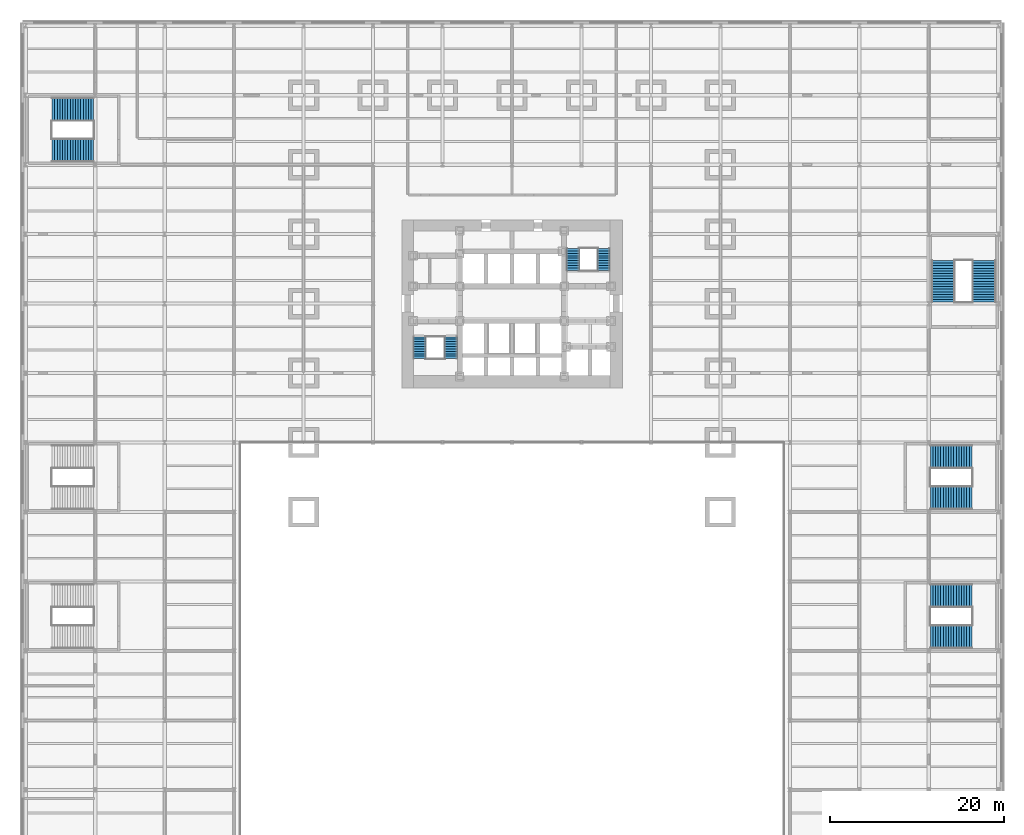
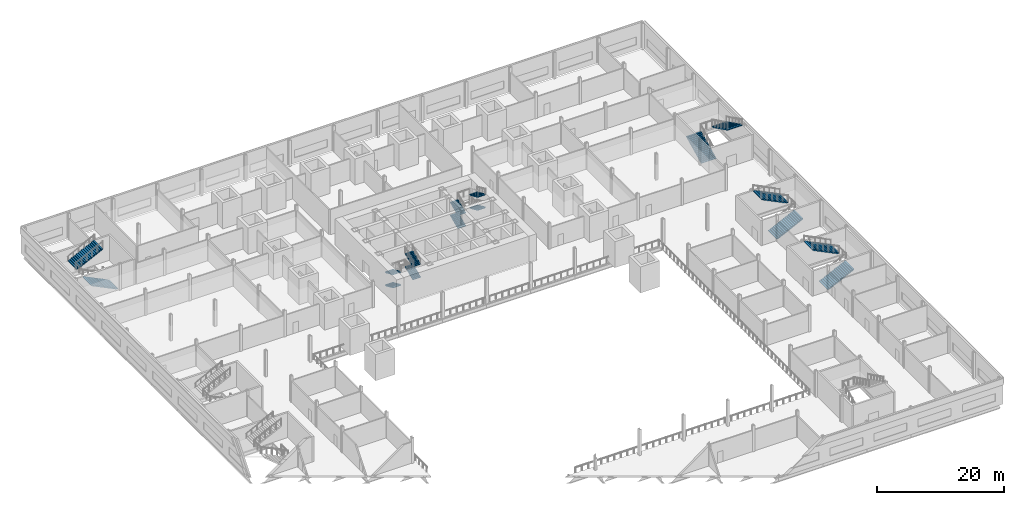
# One storey, part 14 of 18: 16 stair flights, 6 elements without a shape of their own.
"""IFC4 building model written with IfcOpenShell, lengths in metres."""

from ifc_helpers import new_model, si_unit, direction, frame, origin, place, context, subcontext, project, spatial, polyline, outline, extrude, material, type_object, element, aggregate, save


model = new_model("IFC4")

# Units and contexts
model_context = context("Model", 3, precision=1e-05, world=origin(), true_north=direction((0.0, 1.0)))
body_context = subcontext(model_context, "Body", "Model", "MODEL_VIEW")
ifc_project = project(units=[si_unit("LENGTHUNIT", "METRE"), si_unit("AREAUNIT", "SQUARE_METRE"), si_unit("VOLUMEUNIT", "CUBIC_METRE"), si_unit("PLANEANGLEUNIT", "RADIAN"), si_unit("MASSUNIT", "GRAM", prefix="KILO")], contexts=[model_context])

# Site, building, storey
site_placement = place(None, origin())
site = spatial("IfcSite", under=ifc_project, at=site_placement, CompositionType="ELEMENT")
building_placement = place(site_placement, origin())
building = spatial("IfcBuilding", under=site, at=building_placement, Name="Daluyong Arena Tower", CompositionType="ELEMENT")
storey_placement = place(building_placement, frame((0.0, 0.0, 4.89990234375)))
storey = spatial("IfcBuildingStorey", under=building, at=storey_placement, Name="L01", CompositionType="ELEMENT", Elevation=4.89990234375)

# Stair, stair flights
ifc_material_1 = material(Name="Concrete fc' 35 MPa", Category="concrete")
stair_type_1 = type_object("IfcStairType", Name="Core exit stair", PredefinedType="HALF_TURN_STAIR", material=ifc_material_1)
stair_1_placement = place(storey_placement, origin())
stair_1 = element("IfcStair", 1, at=stair_1_placement, inside=storey, type_object=stair_type_1, Name="exit stair A L01", PredefinedType="HALF_TURN_STAIR")
ifc_material_2 = material(Name="Concrete fc' 35 MPa", Category="concrete")
stair_flight_type_1 = type_object("IfcStairFlightType", Name="Core stair flight", PredefinedType="STRAIGHT", material=ifc_material_2)
stair_flight_1_placement = place(storey_placement, frame((45.364990234375, 76.175048828125, 0.0), z_axis=(0.0, 0.0, 1.0), x_axis=(0.0, -1.0, 0.0)))
stair_flight_1 = element("IfcStairFlight", 2, at=stair_flight_1_placement, type_object=stair_flight_type_1, Name="STA flight 1", NumberOfRisers=10, NumberOfTreads=9, PredefinedType="STRAIGHT", RiserHeight=0.125, TreadLength=0.28, context=body_context, shape_type="SweptSolid", body=[
    extrude(outline(polyline([(0.0, 0.0), (0.0, 0.125), (0.280029296875, 0.125), (0.280029296875, 0.25), (0.56005859375, 0.25), (0.56005859375, 0.375), (0.840087890625, 0.375), (0.840087890625, 0.5), (1.1201171875, 0.5), (1.1201171875, 0.625), (1.39990234375, 0.625), (1.39990234375, 0.75), (1.679931640625, 0.75), (1.679931640625, 0.875), (1.9599609375, 0.875), (1.9599609375, 1.0), (2.239990234375, 1.0), (2.239990234375, 1.125), (2.52001953125, 1.125), (2.52001953125, 1.25), (2.52001953125, 0.9609375), (0.36767578125, 0.0), (0.0, 0.0)])), frame((0.0, 0.72509765625, 0.0), z_axis=(0.0, -1.0, 0.0), x_axis=(1.0, 0.0, 0.0)), (0.0, 0.0, 1.0), 1.449951171875),
])
stair_flight_2_placement = place(storey_placement, frame((48.97509765625, 73.655029296875, 1.25), z_axis=(0.0, 0.0, 1.0), x_axis=(0.0, 1.0, 0.0)))
stair_flight_2 = element("IfcStairFlight", 3, at=stair_flight_2_placement, type_object=stair_flight_type_1, Name="STA flight 2", NumberOfRisers=10, NumberOfTreads=9, PredefinedType="STRAIGHT", RiserHeight=0.125, TreadLength=0.28, context=body_context, shape_type="SweptSolid", body=[
    extrude(outline(polyline([(0.0, 0.0), (0.0, 0.125), (0.280029296875, 0.125), (0.280029296875, 0.25), (0.56005859375, 0.25), (0.56005859375, 0.375), (0.840087890625, 0.375), (0.840087890625, 0.5), (1.1201171875, 0.5), (1.1201171875, 0.625), (1.39990234375, 0.625), (1.39990234375, 0.75), (1.679931640625, 0.75), (1.679931640625, 0.875), (1.9599609375, 0.875), (1.9599609375, 1.0), (2.239990234375, 1.0), (2.239990234375, 1.125), (2.52001953125, 1.125), (2.52001953125, 1.25), (2.52001953125, 0.9609375), (0.36767578125, 0.0), (0.0, 0.0)])), frame((0.0, 0.72509765625, 0.0), z_axis=(0.0, -1.0, 0.0), x_axis=(1.0, 0.0, 0.0)), (0.0, 0.0, 1.0), 1.449951171875),
])
stair_flight_3_placement = place(storey_placement, frame((45.364990234375, 76.175048828125, 2.5), z_axis=(0.0, 0.0, 1.0), x_axis=(0.0, -1.0, 0.0)))
stair_flight_3 = element("IfcStairFlight", 4, at=stair_flight_3_placement, type_object=stair_flight_type_1, Name="STA flight 3", NumberOfRisers=10, NumberOfTreads=9, PredefinedType="STRAIGHT", RiserHeight=0.125, TreadLength=0.28, context=body_context, shape_type="SweptSolid", body=[
    extrude(outline(polyline([(0.0, 0.0), (0.0, 0.125), (0.280029296875, 0.125), (0.280029296875, 0.25), (0.56005859375, 0.25), (0.56005859375, 0.375), (0.840087890625, 0.375), (0.840087890625, 0.5), (1.1201171875, 0.5), (1.1201171875, 0.625), (1.39990234375, 0.625), (1.39990234375, 0.75), (1.679931640625, 0.75), (1.679931640625, 0.875), (1.9599609375, 0.875), (1.9599609375, 1.0), (2.239990234375, 1.0), (2.239990234375, 1.125), (2.52001953125, 1.125), (2.52001953125, 1.25), (2.52001953125, 0.9609375), (0.36767578125, 0.0), (0.0, 0.0)])), frame((0.0, 0.72509765625, 0.0), z_axis=(0.0, -1.0, 0.0), x_axis=(1.0, 0.0, 0.0)), (0.0, 0.0, 1.0), 1.449951171875),
])
stair_flight_4_placement = place(storey_placement, frame((48.97509765625, 73.655029296875, 3.75), z_axis=(0.0, 0.0, 1.0), x_axis=(0.0, 1.0, 0.0)))
stair_flight_4 = element("IfcStairFlight", 5, at=stair_flight_4_placement, type_object=stair_flight_type_1, Name="STA flight 4", NumberOfRisers=10, NumberOfTreads=9, PredefinedType="STRAIGHT", RiserHeight=0.125, TreadLength=0.28, context=body_context, shape_type="SweptSolid", body=[
    extrude(outline(polyline([(0.0, 0.0), (0.0, 0.125), (0.280029296875, 0.125), (0.280029296875, 0.25), (0.56005859375, 0.25), (0.56005859375, 0.375), (0.840087890625, 0.375), (0.840087890625, 0.5), (1.1201171875, 0.5), (1.1201171875, 0.625), (1.39990234375, 0.625), (1.39990234375, 0.75), (1.679931640625, 0.75), (1.679931640625, 0.875), (1.9599609375, 0.875), (1.9599609375, 1.0), (2.239990234375, 1.0), (2.239990234375, 1.125), (2.52001953125, 1.125), (2.52001953125, 1.25), (2.52001953125, 0.9609375), (0.36767578125, 0.0), (0.0, 0.0)])), frame((0.0, 0.72509765625, 0.0), z_axis=(0.0, -1.0, 0.0), x_axis=(1.0, 0.0, 0.0)), (0.0, 0.0, 1.0), 1.449951171875),
])
aggregate(stair_1, [stair_flight_1, stair_flight_2, stair_flight_3, stair_flight_4])

stair_2_placement = place(storey_placement, origin())
stair_2 = element("IfcStair", 6, at=stair_2_placement, inside=storey, type_object=stair_type_1, Name="exit stair B L01", PredefinedType="HALF_TURN_STAIR")
stair_flight_5_placement = place(storey_placement, frame((63.02490234375, 83.824951171875, 0.0), z_axis=(0.0, 0.0, 1.0), x_axis=(0.0, 1.0, 0.0)))
stair_flight_5 = element("IfcStairFlight", 7, at=stair_flight_5_placement, type_object=stair_flight_type_1, Name="STB flight 1", NumberOfRisers=10, NumberOfTreads=9, PredefinedType="STRAIGHT", RiserHeight=0.125, TreadLength=0.28, context=body_context, shape_type="SweptSolid", body=[
    extrude(outline(polyline([(0.0, 0.0), (0.0, 0.125), (0.280029296875, 0.125), (0.280029296875, 0.25), (0.56005859375, 0.25), (0.56005859375, 0.375), (0.840087890625, 0.375), (0.840087890625, 0.5), (1.1201171875, 0.5), (1.1201171875, 0.625), (1.39990234375, 0.625), (1.39990234375, 0.75), (1.679931640625, 0.75), (1.679931640625, 0.875), (1.9599609375, 0.875), (1.9599609375, 1.0), (2.239990234375, 1.0), (2.239990234375, 1.125), (2.52001953125, 1.125), (2.52001953125, 1.25), (2.52001953125, 0.9609375), (0.36767578125, 0.0), (0.0, 0.0)])), frame((0.0, 0.72509765625, 0.0), z_axis=(0.0, -1.0, 0.0), x_axis=(1.0, 0.0, 0.0)), (0.0, 0.0, 1.0), 1.449951171875),
])
stair_flight_6_placement = place(storey_placement, frame((66.574951171875, 86.344970703125, 1.25), z_axis=(0.0, 0.0, 1.0), x_axis=(0.0, -1.0, 0.0)))
stair_flight_6 = element("IfcStairFlight", 8, at=stair_flight_6_placement, type_object=stair_flight_type_1, Name="STB flight 2", NumberOfRisers=10, NumberOfTreads=9, PredefinedType="STRAIGHT", RiserHeight=0.125, TreadLength=0.28, context=body_context, shape_type="SweptSolid", body=[
    extrude(outline(polyline([(0.0, 0.0), (0.0, 0.125), (0.280029296875, 0.125), (0.280029296875, 0.25), (0.56005859375, 0.25), (0.56005859375, 0.375), (0.840087890625, 0.375), (0.840087890625, 0.5), (1.1201171875, 0.5), (1.1201171875, 0.625), (1.39990234375, 0.625), (1.39990234375, 0.75), (1.679931640625, 0.75), (1.679931640625, 0.875), (1.9599609375, 0.875), (1.9599609375, 1.0), (2.239990234375, 1.0), (2.239990234375, 1.125), (2.52001953125, 1.125), (2.52001953125, 1.25), (2.52001953125, 0.9609375), (0.36767578125, 0.0), (0.0, 0.0)])), frame((0.0, 0.72509765625, 0.0), z_axis=(0.0, -1.0, 0.0), x_axis=(1.0, 0.0, 0.0)), (0.0, 0.0, 1.0), 1.449951171875),
])
stair_flight_7_placement = place(storey_placement, frame((63.02490234375, 83.824951171875, 2.5), z_axis=(0.0, 0.0, 1.0), x_axis=(0.0, 1.0, 0.0)))
stair_flight_7 = element("IfcStairFlight", 9, at=stair_flight_7_placement, type_object=stair_flight_type_1, Name="STB flight 3", NumberOfRisers=10, NumberOfTreads=9, PredefinedType="STRAIGHT", RiserHeight=0.125, TreadLength=0.28, context=body_context, shape_type="SweptSolid", body=[
    extrude(outline(polyline([(0.0, 0.0), (0.0, 0.125), (0.280029296875, 0.125), (0.280029296875, 0.25), (0.56005859375, 0.25), (0.56005859375, 0.375), (0.840087890625, 0.375), (0.840087890625, 0.5), (1.1201171875, 0.5), (1.1201171875, 0.625), (1.39990234375, 0.625), (1.39990234375, 0.75), (1.679931640625, 0.75), (1.679931640625, 0.875), (1.9599609375, 0.875), (1.9599609375, 1.0), (2.239990234375, 1.0), (2.239990234375, 1.125), (2.52001953125, 1.125), (2.52001953125, 1.25), (2.52001953125, 0.9609375), (0.36767578125, 0.0), (0.0, 0.0)])), frame((0.0, 0.72509765625, 0.0), z_axis=(0.0, -1.0, 0.0), x_axis=(1.0, 0.0, 0.0)), (0.0, 0.0, 1.0), 1.449951171875),
])
stair_flight_8_placement = place(storey_placement, frame((66.574951171875, 86.344970703125, 3.75), z_axis=(0.0, 0.0, 1.0), x_axis=(0.0, -1.0, 0.0)))
stair_flight_8 = element("IfcStairFlight", 10, at=stair_flight_8_placement, type_object=stair_flight_type_1, Name="STB flight 4", NumberOfRisers=10, NumberOfTreads=9, PredefinedType="STRAIGHT", RiserHeight=0.125, TreadLength=0.28, context=body_context, shape_type="SweptSolid", body=[
    extrude(outline(polyline([(0.0, 0.0), (0.0, 0.125), (0.280029296875, 0.125), (0.280029296875, 0.25), (0.56005859375, 0.25), (0.56005859375, 0.375), (0.840087890625, 0.375), (0.840087890625, 0.5), (1.1201171875, 0.5), (1.1201171875, 0.625), (1.39990234375, 0.625), (1.39990234375, 0.75), (1.679931640625, 0.75), (1.679931640625, 0.875), (1.9599609375, 0.875), (1.9599609375, 1.0), (2.239990234375, 1.0), (2.239990234375, 1.125), (2.52001953125, 1.125), (2.52001953125, 1.25), (2.52001953125, 0.9609375), (0.36767578125, 0.0), (0.0, 0.0)])), frame((0.0, 0.72509765625, 0.0), z_axis=(0.0, -1.0, 0.0), x_axis=(1.0, 0.0, 0.0)), (0.0, 0.0, 1.0), 1.449951171875),
])
aggregate(stair_2, [stair_flight_5, stair_flight_6, stair_flight_7, stair_flight_8])

ifc_material_3 = material(Name="Concrete fc' 35 MPa", Category="concrete")
stair_type_2 = type_object("IfcStairType", Name="Podium exit stair", PredefinedType="HALF_TURN_STAIR", material=ifc_material_3)
stair_3_placement = place(storey_placement, origin())
stair_3 = element("IfcStair", 11, at=stair_3_placement, inside=storey, type_object=stair_type_2, Name="exit stair PS4 L01", PredefinedType="HALF_TURN_STAIR")
ifc_material_4 = material(Name="Concrete fc' 35 MPa", Category="concrete")
stair_flight_type_2 = type_object("IfcStairFlightType", Name="Podium stair flight", PredefinedType="STRAIGHT", material=ifc_material_4)
stair_flight_9_placement = place(storey_placement, frame((104.159912109375, 41.64990234375, 0.0), z_axis=(0.0, 0.0, 1.0), x_axis=(1.0, 0.0, 0.0)))
stair_flight_9 = element("IfcStairFlight", 12, at=stair_flight_9_placement, type_object=stair_flight_type_2, Name="PS4 flight 1", NumberOfRisers=17, NumberOfTreads=16, PredefinedType="STRAIGHT", RiserHeight=0.147058824, TreadLength=0.3, context=body_context, shape_type="SweptSolid", body=[
    extrude(outline(polyline([(0.0, 0.0), (0.0, 0.14697265625), (0.300048828125, 0.14697265625), (0.300048828125, 0.294189453125), (0.60009765625, 0.294189453125), (0.60009765625, 0.441162109375), (0.89990234375, 0.441162109375), (0.89990234375, 0.588134765625), (1.199951171875, 0.588134765625), (1.199951171875, 0.7353515625), (1.5, 0.7353515625), (1.5, 0.88232421875), (1.800048828125, 0.88232421875), (1.800048828125, 1.029296875), (2.10009765625, 1.029296875), (2.10009765625, 1.176513671875), (2.39990234375, 1.176513671875), (2.39990234375, 1.323486328125), (2.699951171875, 1.323486328125), (2.699951171875, 1.470703125), (3.0, 1.470703125), (3.0, 1.61767578125), (3.300048828125, 1.61767578125), (3.300048828125, 1.7646484375), (3.60009765625, 1.7646484375), (3.60009765625, 1.911865234375), (3.89990234375, 1.911865234375), (3.89990234375, 2.058837890625), (4.199951171875, 2.058837890625), (4.199951171875, 2.205810546875), (4.5, 2.205810546875), (4.5, 2.35302734375), (4.800048828125, 2.35302734375), (4.800048828125, 2.5), (4.800048828125, 2.18603515625), (0.340576171875, 0.0), (0.0, 0.0)])), frame((0.0, 1.35009765625, 0.0), z_axis=(0.0, -1.0, 0.0), x_axis=(1.0, 0.0, 0.0)), (0.0, 0.0, 1.0), 2.699951171875),
])
stair_flight_10_placement = place(storey_placement, frame((108.9599609375, 46.35009765625, 2.5), z_axis=(0.0, 0.0, 1.0), x_axis=(-1.0, 0.0, 0.0)))
stair_flight_10 = element("IfcStairFlight", 13, at=stair_flight_10_placement, type_object=stair_flight_type_2, Name="PS4 flight 2", NumberOfRisers=17, NumberOfTreads=16, PredefinedType="STRAIGHT", RiserHeight=0.147058824, TreadLength=0.3, context=body_context, shape_type="SweptSolid", body=[
    extrude(outline(polyline([(0.0, 0.0), (0.0, 0.14697265625), (0.300048828125, 0.14697265625), (0.300048828125, 0.294189453125), (0.60009765625, 0.294189453125), (0.60009765625, 0.441162109375), (0.89990234375, 0.441162109375), (0.89990234375, 0.588134765625), (1.199951171875, 0.588134765625), (1.199951171875, 0.7353515625), (1.5, 0.7353515625), (1.5, 0.88232421875), (1.800048828125, 0.88232421875), (1.800048828125, 1.029296875), (2.10009765625, 1.029296875), (2.10009765625, 1.176513671875), (2.39990234375, 1.176513671875), (2.39990234375, 1.323486328125), (2.699951171875, 1.323486328125), (2.699951171875, 1.470703125), (3.0, 1.470703125), (3.0, 1.61767578125), (3.300048828125, 1.61767578125), (3.300048828125, 1.7646484375), (3.60009765625, 1.7646484375), (3.60009765625, 1.911865234375), (3.89990234375, 1.911865234375), (3.89990234375, 2.058837890625), (4.199951171875, 2.058837890625), (4.199951171875, 2.205810546875), (4.5, 2.205810546875), (4.5, 2.35302734375), (4.800048828125, 2.35302734375), (4.800048828125, 2.5), (4.800048828125, 2.18603515625), (0.340576171875, 0.0), (0.0, 0.0)])), frame((0.0, 1.35009765625, 0.0), z_axis=(0.0, -1.0, 0.0), x_axis=(1.0, 0.0, 0.0)), (0.0, 0.0, 1.0), 2.699951171875),
])
aggregate(stair_3, [stair_flight_9, stair_flight_10])

stair_4_placement = place(storey_placement, origin())
stair_4 = element("IfcStair", 14, at=stair_4_placement, inside=storey, type_object=stair_type_2, Name="exit stair PS5 L01", PredefinedType="HALF_TURN_STAIR")
stair_flight_11_placement = place(storey_placement, frame((7.840087890625, 97.64990234375, 0.0), z_axis=(0.0, 0.0, 1.0), x_axis=(-1.0, 0.0, 0.0)))
stair_flight_11 = element("IfcStairFlight", 15, at=stair_flight_11_placement, type_object=stair_flight_type_2, Name="PS5 flight 1", NumberOfRisers=17, NumberOfTreads=16, PredefinedType="STRAIGHT", RiserHeight=0.147058824, TreadLength=0.3, context=body_context, shape_type="SweptSolid", body=[
    extrude(outline(polyline([(0.0, 0.0), (0.0, 0.14697265625), (0.300048828125, 0.14697265625), (0.300048828125, 0.294189453125), (0.60009765625, 0.294189453125), (0.60009765625, 0.441162109375), (0.89990234375, 0.441162109375), (0.89990234375, 0.588134765625), (1.199951171875, 0.588134765625), (1.199951171875, 0.7353515625), (1.5, 0.7353515625), (1.5, 0.88232421875), (1.800048828125, 0.88232421875), (1.800048828125, 1.029296875), (2.10009765625, 1.029296875), (2.10009765625, 1.176513671875), (2.39990234375, 1.176513671875), (2.39990234375, 1.323486328125), (2.699951171875, 1.323486328125), (2.699951171875, 1.470703125), (3.0, 1.470703125), (3.0, 1.61767578125), (3.300048828125, 1.61767578125), (3.300048828125, 1.7646484375), (3.60009765625, 1.7646484375), (3.60009765625, 1.911865234375), (3.89990234375, 1.911865234375), (3.89990234375, 2.058837890625), (4.199951171875, 2.058837890625), (4.199951171875, 2.205810546875), (4.5, 2.205810546875), (4.5, 2.35302734375), (4.800048828125, 2.35302734375), (4.800048828125, 2.5), (4.800048828125, 2.18603515625), (0.340576171875, 0.0), (0.0, 0.0)])), frame((0.0, 1.35009765625, 0.0), z_axis=(0.0, -1.0, 0.0), x_axis=(1.0, 0.0, 0.0)), (0.0, 0.0, 1.0), 2.699951171875),
])
stair_flight_12_placement = place(storey_placement, frame((3.0400390625, 102.35009765625, 2.5), z_axis=(0.0, 0.0, 1.0), x_axis=(1.0, 0.0, 0.0)))
stair_flight_12 = element("IfcStairFlight", 16, at=stair_flight_12_placement, type_object=stair_flight_type_2, Name="PS5 flight 2", NumberOfRisers=17, NumberOfTreads=16, PredefinedType="STRAIGHT", RiserHeight=0.147058824, TreadLength=0.3, context=body_context, shape_type="SweptSolid", body=[
    extrude(outline(polyline([(0.0, 0.0), (0.0, 0.14697265625), (0.300048828125, 0.14697265625), (0.300048828125, 0.294189453125), (0.60009765625, 0.294189453125), (0.60009765625, 0.441162109375), (0.89990234375, 0.441162109375), (0.89990234375, 0.588134765625), (1.199951171875, 0.588134765625), (1.199951171875, 0.7353515625), (1.5, 0.7353515625), (1.5, 0.88232421875), (1.800048828125, 0.88232421875), (1.800048828125, 1.029296875), (2.10009765625, 1.029296875), (2.10009765625, 1.176513671875), (2.39990234375, 1.176513671875), (2.39990234375, 1.323486328125), (2.699951171875, 1.323486328125), (2.699951171875, 1.470703125), (3.0, 1.470703125), (3.0, 1.61767578125), (3.300048828125, 1.61767578125), (3.300048828125, 1.7646484375), (3.60009765625, 1.7646484375), (3.60009765625, 1.911865234375), (3.89990234375, 1.911865234375), (3.89990234375, 2.058837890625), (4.199951171875, 2.058837890625), (4.199951171875, 2.205810546875), (4.5, 2.205810546875), (4.5, 2.35302734375), (4.800048828125, 2.35302734375), (4.800048828125, 2.5), (4.800048828125, 2.18603515625), (0.340576171875, 0.0), (0.0, 0.0)])), frame((0.0, 1.35009765625, 0.0), z_axis=(0.0, -1.0, 0.0), x_axis=(1.0, 0.0, 0.0)), (0.0, 0.0, 1.0), 2.699951171875),
])
aggregate(stair_4, [stair_flight_11, stair_flight_12])

stair_5_placement = place(storey_placement, origin())
stair_5 = element("IfcStair", 17, at=stair_5_placement, inside=storey, type_object=stair_type_2, Name="exit stair PS6 L01", PredefinedType="HALF_TURN_STAIR")
stair_flight_13_placement = place(storey_placement, frame((105.64990234375, 80.159912109375, 0.0), z_axis=(0.0, 0.0, 1.0), x_axis=(0.0, 1.0, 0.0)))
stair_flight_13 = element("IfcStairFlight", 18, at=stair_flight_13_placement, type_object=stair_flight_type_2, Name="PS6 flight 1", NumberOfRisers=17, NumberOfTreads=16, PredefinedType="STRAIGHT", RiserHeight=0.147058824, TreadLength=0.3, context=body_context, shape_type="SweptSolid", body=[
    extrude(outline(polyline([(0.0, 0.0), (0.0, 0.14697265625), (0.300048828125, 0.14697265625), (0.300048828125, 0.294189453125), (0.60009765625, 0.294189453125), (0.60009765625, 0.441162109375), (0.89990234375, 0.441162109375), (0.89990234375, 0.588134765625), (1.199951171875, 0.588134765625), (1.199951171875, 0.7353515625), (1.5, 0.7353515625), (1.5, 0.88232421875), (1.800048828125, 0.88232421875), (1.800048828125, 1.029296875), (2.10009765625, 1.029296875), (2.10009765625, 1.176513671875), (2.39990234375, 1.176513671875), (2.39990234375, 1.323486328125), (2.699951171875, 1.323486328125), (2.699951171875, 1.470703125), (3.0, 1.470703125), (3.0, 1.61767578125), (3.300048828125, 1.61767578125), (3.300048828125, 1.7646484375), (3.60009765625, 1.7646484375), (3.60009765625, 1.911865234375), (3.89990234375, 1.911865234375), (3.89990234375, 2.058837890625), (4.199951171875, 2.058837890625), (4.199951171875, 2.205810546875), (4.5, 2.205810546875), (4.5, 2.35302734375), (4.800048828125, 2.35302734375), (4.800048828125, 2.5), (4.800048828125, 2.18603515625), (0.340576171875, 0.0), (0.0, 0.0)])), frame((0.0, 1.35009765625, 0.0), z_axis=(0.0, -1.0, 0.0), x_axis=(1.0, 0.0, 0.0)), (0.0, 0.0, 1.0), 2.699951171875),
])
stair_flight_14_placement = place(storey_placement, frame((110.35009765625, 84.9599609375, 2.5), z_axis=(0.0, 0.0, 1.0), x_axis=(0.0, -1.0, 0.0)))
stair_flight_14 = element("IfcStairFlight", 19, at=stair_flight_14_placement, type_object=stair_flight_type_2, Name="PS6 flight 2", NumberOfRisers=17, NumberOfTreads=16, PredefinedType="STRAIGHT", RiserHeight=0.147058824, TreadLength=0.3, context=body_context, shape_type="SweptSolid", body=[
    extrude(outline(polyline([(0.0, 0.0), (0.0, 0.14697265625), (0.300048828125, 0.14697265625), (0.300048828125, 0.294189453125), (0.60009765625, 0.294189453125), (0.60009765625, 0.441162109375), (0.89990234375, 0.441162109375), (0.89990234375, 0.588134765625), (1.199951171875, 0.588134765625), (1.199951171875, 0.7353515625), (1.5, 0.7353515625), (1.5, 0.88232421875), (1.800048828125, 0.88232421875), (1.800048828125, 1.029296875), (2.10009765625, 1.029296875), (2.10009765625, 1.176513671875), (2.39990234375, 1.176513671875), (2.39990234375, 1.323486328125), (2.699951171875, 1.323486328125), (2.699951171875, 1.470703125), (3.0, 1.470703125), (3.0, 1.61767578125), (3.300048828125, 1.61767578125), (3.300048828125, 1.7646484375), (3.60009765625, 1.7646484375), (3.60009765625, 1.911865234375), (3.89990234375, 1.911865234375), (3.89990234375, 2.058837890625), (4.199951171875, 2.058837890625), (4.199951171875, 2.205810546875), (4.5, 2.205810546875), (4.5, 2.35302734375), (4.800048828125, 2.35302734375), (4.800048828125, 2.5), (4.800048828125, 2.18603515625), (0.340576171875, 0.0), (0.0, 0.0)])), frame((0.0, 1.35009765625, 0.0), z_axis=(0.0, -1.0, 0.0), x_axis=(1.0, 0.0, 0.0)), (0.0, 0.0, 1.0), 2.699951171875),
])
aggregate(stair_5, [stair_flight_13, stair_flight_14])

stair_6_placement = place(storey_placement, origin())
stair_6 = element("IfcStair", 20, at=stair_6_placement, inside=storey, type_object=stair_type_2, Name="exit stair PS8 L01", PredefinedType="HALF_TURN_STAIR")
stair_flight_15_placement = place(storey_placement, frame((104.159912109375, 57.64990234375, 0.0), z_axis=(0.0, 0.0, 1.0), x_axis=(1.0, 0.0, 0.0)))
stair_flight_15 = element("IfcStairFlight", 21, at=stair_flight_15_placement, type_object=stair_flight_type_2, Name="PS8 flight 1", NumberOfRisers=17, NumberOfTreads=16, PredefinedType="STRAIGHT", RiserHeight=0.147058824, TreadLength=0.3, context=body_context, shape_type="SweptSolid", body=[
    extrude(outline(polyline([(0.0, 0.0), (0.0, 0.14697265625), (0.300048828125, 0.14697265625), (0.300048828125, 0.294189453125), (0.60009765625, 0.294189453125), (0.60009765625, 0.441162109375), (0.89990234375, 0.441162109375), (0.89990234375, 0.588134765625), (1.199951171875, 0.588134765625), (1.199951171875, 0.7353515625), (1.5, 0.7353515625), (1.5, 0.88232421875), (1.800048828125, 0.88232421875), (1.800048828125, 1.029296875), (2.10009765625, 1.029296875), (2.10009765625, 1.176513671875), (2.39990234375, 1.176513671875), (2.39990234375, 1.323486328125), (2.699951171875, 1.323486328125), (2.699951171875, 1.470703125), (3.0, 1.470703125), (3.0, 1.61767578125), (3.300048828125, 1.61767578125), (3.300048828125, 1.7646484375), (3.60009765625, 1.7646484375), (3.60009765625, 1.911865234375), (3.89990234375, 1.911865234375), (3.89990234375, 2.058837890625), (4.199951171875, 2.058837890625), (4.199951171875, 2.205810546875), (4.5, 2.205810546875), (4.5, 2.35302734375), (4.800048828125, 2.35302734375), (4.800048828125, 2.5), (4.800048828125, 2.18603515625), (0.340576171875, 0.0), (0.0, 0.0)])), frame((0.0, 1.35009765625, 0.0), z_axis=(0.0, -1.0, 0.0), x_axis=(1.0, 0.0, 0.0)), (0.0, 0.0, 1.0), 2.699951171875),
])
stair_flight_16_placement = place(storey_placement, frame((108.9599609375, 62.35009765625, 2.5), z_axis=(0.0, 0.0, 1.0), x_axis=(-1.0, 0.0, 0.0)))
stair_flight_16 = element("IfcStairFlight", 22, at=stair_flight_16_placement, type_object=stair_flight_type_2, Name="PS8 flight 2", NumberOfRisers=17, NumberOfTreads=16, PredefinedType="STRAIGHT", RiserHeight=0.147058824, TreadLength=0.3, context=body_context, shape_type="SweptSolid", body=[
    extrude(outline(polyline([(0.0, 0.0), (0.0, 0.14697265625), (0.300048828125, 0.14697265625), (0.300048828125, 0.294189453125), (0.60009765625, 0.294189453125), (0.60009765625, 0.441162109375), (0.89990234375, 0.441162109375), (0.89990234375, 0.588134765625), (1.199951171875, 0.588134765625), (1.199951171875, 0.7353515625), (1.5, 0.7353515625), (1.5, 0.88232421875), (1.800048828125, 0.88232421875), (1.800048828125, 1.029296875), (2.10009765625, 1.029296875), (2.10009765625, 1.176513671875), (2.39990234375, 1.176513671875), (2.39990234375, 1.323486328125), (2.699951171875, 1.323486328125), (2.699951171875, 1.470703125), (3.0, 1.470703125), (3.0, 1.61767578125), (3.300048828125, 1.61767578125), (3.300048828125, 1.7646484375), (3.60009765625, 1.7646484375), (3.60009765625, 1.911865234375), (3.89990234375, 1.911865234375), (3.89990234375, 2.058837890625), (4.199951171875, 2.058837890625), (4.199951171875, 2.205810546875), (4.5, 2.205810546875), (4.5, 2.35302734375), (4.800048828125, 2.35302734375), (4.800048828125, 2.5), (4.800048828125, 2.18603515625), (0.340576171875, 0.0), (0.0, 0.0)])), frame((0.0, 1.35009765625, 0.0), z_axis=(0.0, -1.0, 0.0), x_axis=(1.0, 0.0, 0.0)), (0.0, 0.0, 1.0), 2.699951171875),
])
aggregate(stair_6, [stair_flight_15, stair_flight_16])

save(model, "model.ifc")
